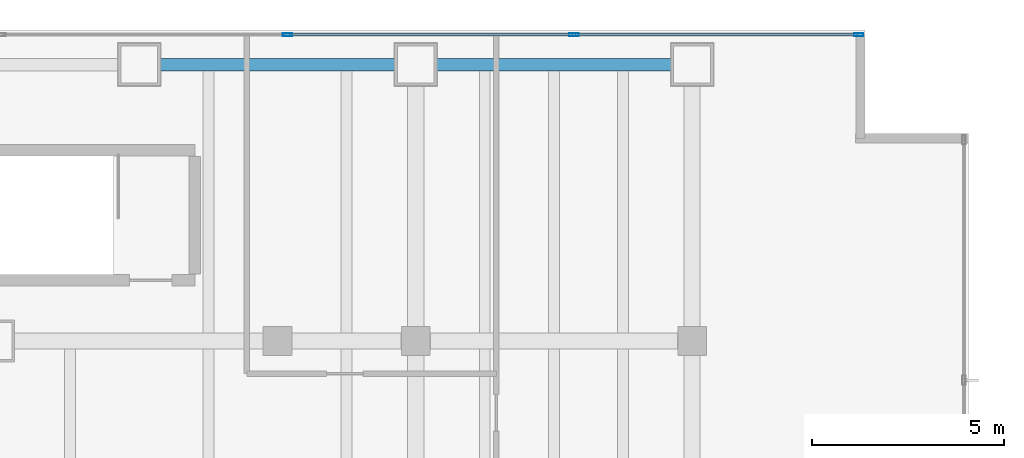
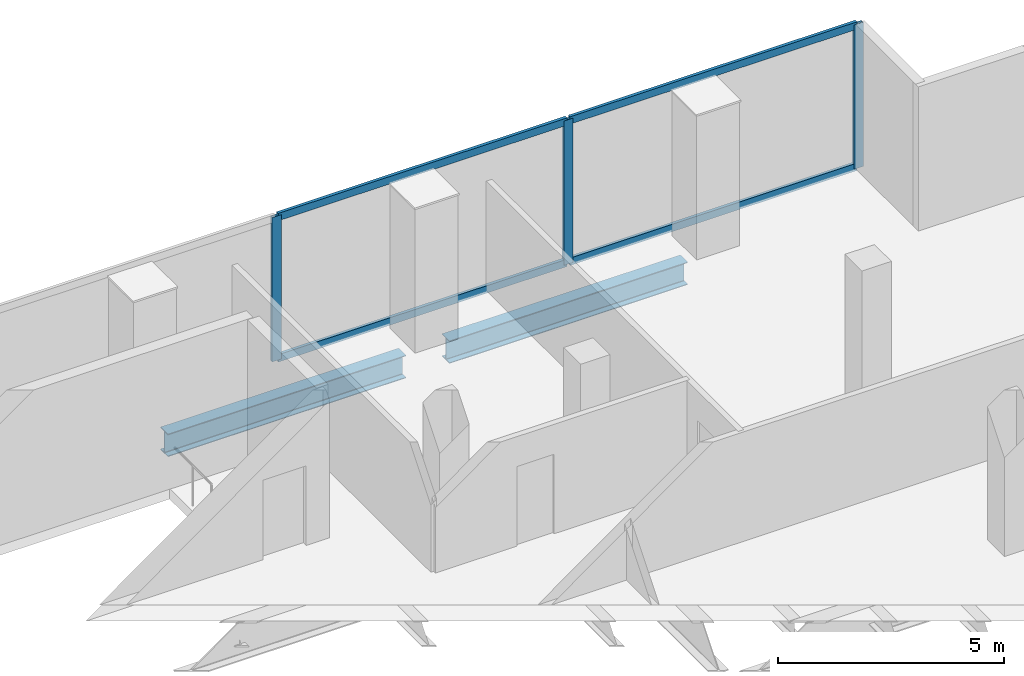
# One storey, part 15 of 32: 7 members, 2 beams, 1 element without a shape of its own.
"""IFC4 building model written with IfcOpenShell, lengths in metres."""

from ifc_helpers import new_model, si_unit, direction, frame, origin, origin_2d, place, context, subcontext, project, spatial, hollow_rectangle, i_section, extrude, material, material_profile, profile_set, type_object, element, aggregate, save


model = new_model("IFC4")

# Units and contexts
model_context = context("Model", 3, precision=1e-05, world=origin(), true_north=direction((0.0, 1.0)))
body_context = subcontext(model_context, "Body", "Model", "MODEL_VIEW")
ifc_project = project(units=[si_unit("LENGTHUNIT", "METRE"), si_unit("AREAUNIT", "SQUARE_METRE"), si_unit("VOLUMEUNIT", "CUBIC_METRE"), si_unit("PLANEANGLEUNIT", "RADIAN"), si_unit("MASSUNIT", "GRAM", prefix="KILO")], contexts=[model_context])

# Site, building, storey
site_placement = place(None, origin())
site = spatial("IfcSite", under=ifc_project, at=site_placement, CompositionType="ELEMENT")
building_placement = place(site_placement, origin())
building = spatial("IfcBuilding", under=site, at=building_placement, Name="Cobrela Telecom Tower", CompositionType="ELEMENT")
storey_placement = place(building_placement, frame((0.0, 0.0, 22.050048828125)))
storey = spatial("IfcBuildingStorey", under=building, at=storey_placement, Name="L05", CompositionType="ELEMENT", Elevation=22.050048828125)

# Beams
ifc_material_1 = material(Name="Steel ASTM A992 Grade 50", Category="steel")
ifc_material_profile_1 = material_profile(ifc_material_1, i_section(OverallWidth=0.324951171875, OverallDepth=0.612060546875, WebThickness=0.0126953125, FlangeThickness=0.01904296875, FilletRadius=0.014892578125, at=origin_2d()), Name="W24X104")
ifc_profile_set_1 = profile_set([ifc_material_profile_1], Name="Steel ASTM A992 Grade 50")
beam_type = type_object("IfcBeamType", Name="BM-SPAND-02", PredefinedType="SPANDREL", material=ifc_profile_set_1)
for number, where, z_axis, x_axis, name in (
    (1, (29.35498046875, 49.5, -0.595947265625), (1.0, 0.0, 0.0), (0.0, 1.0, 0.0), "L05 Perimeter Spandrel X54"),
    (2, (36.554931640625, 49.5, -0.595947265625), (1.0, 0.0, 0.0), (0.0, 1.0, 0.0), "L05 Perimeter Spandrel X55"),
):
    element("IfcBeam", number, at=place(storey_placement, frame(where, z_axis=z_axis, x_axis=x_axis)), inside=storey, type_object=beam_type, Name=name, PredefinedType="SPANDREL", context=body_context, shape_type="SweptSolid", body=[
        extrude(i_section(OverallWidth=0.324951171875, OverallDepth=0.612060546875, WebThickness=0.0126953125, FlangeThickness=0.01904296875, FilletRadius=0.014892578125, at=origin_2d()), origin(), (0.0, 0.0, 1.0), 6.090087890625),
    ])

# Curtain wall, members
ifc_material_2 = material(Name="Anodized Bronze Aluminium 6063-T6", Category="aluminium")
curtain_wall_type = type_object("IfcCurtainWallType", Name="CW-SYS-CONC", PredefinedType="USERDEFINED", material=ifc_material_2)
curtain_wall_placement = place(storey_placement, origin())
curtain_wall = element("IfcCurtainWall", 3, at=curtain_wall_placement, inside=storey, type_object=curtain_wall_type, Name="L05 Unitised Bronze Curtain Wall 07", ObjectType="UNITISED CURTAIN WALL", PredefinedType="USERDEFINED")
ifc_material_profile_2 = material_profile(ifc_material_2, hollow_rectangle(XDim=0.080078125, YDim=0.239990234375, WallThickness=0.0048828125, at=origin_2d()), Name="ALU 80x240x5")
ifc_profile_set_2 = profile_set([ifc_material_profile_2], Name="Anodized Bronze Aluminium 6063-T6")
member_type_1 = type_object("IfcMemberType", Name="CW-SYS-CONC-MUL", PredefinedType="MULLION", material=ifc_profile_set_2)
member_1_placement = place(storey_placement, frame((32.659912109375, 50.280029296875, 0.0), z_axis=(0.0, 0.0, 1.0), x_axis=(0.0, 1.0, 0.0)))
member_1 = element("IfcMember", 4, at=member_1_placement, type_object=member_type_1, Name="CW-CONC mullion 5", PredefinedType="MULLION", context=body_context, shape_type="SweptSolid", body=[
    extrude(hollow_rectangle(XDim=0.080078125, YDim=0.239990234375, WallThickness=0.0048828125, at=origin_2d()), origin(), (0.0, 0.0, 1.0), 3.89990234375),
])
member_2_placement = place(storey_placement, frame((40.1201171875, 50.280029296875, 0.0), z_axis=(0.0, 0.0, 1.0), x_axis=(0.0, 1.0, 0.0)))
member_2 = element("IfcMember", 5, at=member_2_placement, type_object=member_type_1, Name="CW-CONC mullion 6", PredefinedType="MULLION", context=body_context, shape_type="SweptSolid", body=[
    extrude(hollow_rectangle(XDim=0.080078125, YDim=0.239990234375, WallThickness=0.0048828125, at=origin_2d()), origin(), (0.0, 0.0, 1.0), 3.89990234375),
])
member_3_placement = place(storey_placement, frame((47.5400390625, 50.280029296875, 0.0), z_axis=(0.0, 0.0, 1.0), x_axis=(0.0, 1.0, 0.0)))
member_3 = element("IfcMember", 6, at=member_3_placement, type_object=member_type_1, Name="CW-CONC mullion 7", PredefinedType="MULLION", context=body_context, shape_type="SweptSolid", body=[
    extrude(hollow_rectangle(XDim=0.080078125, YDim=0.239990234375, WallThickness=0.0048828125, at=origin_2d()), origin(), (0.0, 0.0, 1.0), 3.89990234375),
])
ifc_material_profile_3 = material_profile(ifc_material_2, hollow_rectangle(XDim=0.080078125, YDim=0.199951171875, WallThickness=0.00390625, at=origin_2d()), Name="ALU 80x200x4")
ifc_profile_set_3 = profile_set([ifc_material_profile_3], Name="Anodized Bronze Aluminium 6063-T6")
member_type_2 = type_object("IfcMemberType", Name="CW-SYS-CONC-TRN", PredefinedType="USERDEFINED", material=ifc_profile_set_3)
member_4_placement = place(storey_placement, frame((32.699951171875, 50.280029296875, 0.0400390625), z_axis=(1.0, 0.0, 0.0), x_axis=(0.0, 1.0, 0.0)))
member_4 = element("IfcMember", 7, at=member_4_placement, type_object=member_type_2, Name="CW-CONC transom 5.1", ObjectType="TRANSOM", PredefinedType="USERDEFINED", context=body_context, shape_type="SweptSolid", body=[
    extrude(hollow_rectangle(XDim=0.080078125, YDim=0.199951171875, WallThickness=0.00390625, at=origin_2d()), origin(), (0.0, 0.0, 1.0), 7.380126953125),
])
member_5_placement = place(storey_placement, frame((32.699951171875, 50.280029296875, 3.85986328125), z_axis=(1.0, 0.0, 0.0), x_axis=(0.0, 1.0, 0.0)))
member_5 = element("IfcMember", 8, at=member_5_placement, type_object=member_type_2, Name="CW-CONC transom 5.2", ObjectType="TRANSOM", PredefinedType="USERDEFINED", context=body_context, shape_type="SweptSolid", body=[
    extrude(hollow_rectangle(XDim=0.080078125, YDim=0.199951171875, WallThickness=0.00390625, at=origin_2d()), origin(), (0.0, 0.0, 1.0), 7.380126953125),
])
member_6_placement = place(storey_placement, frame((40.159912109375, 50.280029296875, 0.0400390625), z_axis=(1.0, 0.0, 0.0), x_axis=(0.0, 1.0, 0.0)))
member_6 = element("IfcMember", 9, at=member_6_placement, type_object=member_type_2, Name="CW-CONC transom 6.1", ObjectType="TRANSOM", PredefinedType="USERDEFINED", context=body_context, shape_type="SweptSolid", body=[
    extrude(hollow_rectangle(XDim=0.080078125, YDim=0.199951171875, WallThickness=0.00390625, at=origin_2d()), origin(), (0.0, 0.0, 1.0), 7.340087890625),
])
member_7_placement = place(storey_placement, frame((40.159912109375, 50.280029296875, 3.85986328125), z_axis=(1.0, 0.0, 0.0), x_axis=(0.0, 1.0, 0.0)))
member_7 = element("IfcMember", 10, at=member_7_placement, type_object=member_type_2, Name="CW-CONC transom 6.2", ObjectType="TRANSOM", PredefinedType="USERDEFINED", context=body_context, shape_type="SweptSolid", body=[
    extrude(hollow_rectangle(XDim=0.080078125, YDim=0.199951171875, WallThickness=0.00390625, at=origin_2d()), origin(), (0.0, 0.0, 1.0), 7.340087890625),
])
aggregate(curtain_wall, [member_1, member_2, member_3, member_4, member_5, member_6, member_7])

save(model, "model.ifc")
